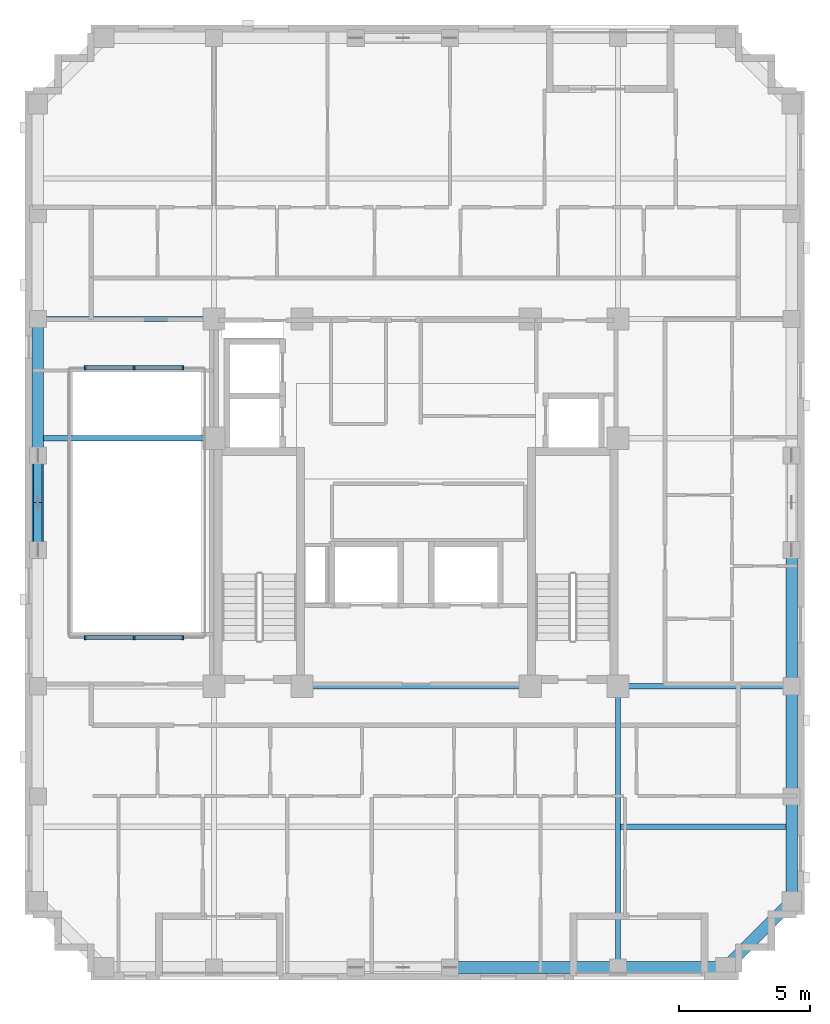
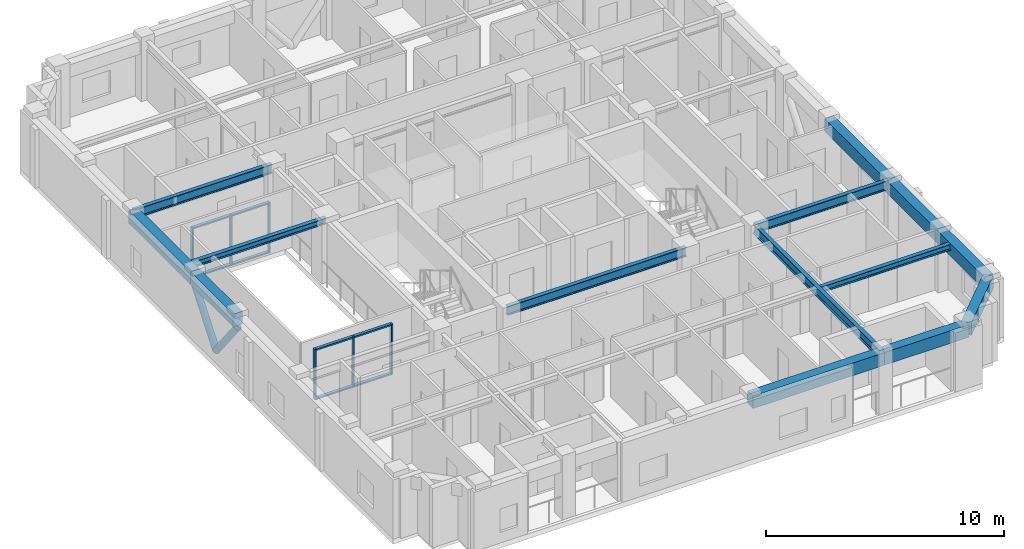
# One storey, part 2 of 12: 16 members, 14 beams, 2 elements without a shape of their own.
"""IFC4 building model written with IfcOpenShell, lengths in metres."""

import ifcopenshell
import ifcopenshell.guid

model = None  # the IFC model being written
_history = None  # IfcOwnerHistory: only IFC2X3 demands one
_inside = {}  # id of a spatial element -> (the spatial element, [elements in it])
_under = {}  # id of a project, library or spatial element -> (it, [spatial elements below it])
_declared = {}  # id of a project -> (the project, [libraries it declares])
_typed = {}  # id of a type object -> (the type object, [elements of that type])
_made_of = {}  # id of a material, layer set ... -> (it, [elements and type objects made of it])


def new_model(schema):
    """Start an empty IFC model of exactly this schema.

    Asked for "IFC4X3", IfcOpenShell would pick the latest addendum, in which some entities
    have other attributes; the version numbers below select the first issue.
    IFC2X3 requires an IfcOwnerHistory on every rooted entity: one is made here for all.
    """
    global model, _history
    if schema == "IFC4X3":
        model = ifcopenshell.file(schema_version=(4, 3, 0, 0))
    else:
        model = ifcopenshell.file(schema=schema)
    _inside.clear()
    _under.clear()
    _declared.clear()
    _typed.clear()
    _made_of.clear()
    _history = None
    if model.schema == "IFC2X3":
        org = make("IfcOrganization", Name="unknown")
        user = make(
            "IfcPersonAndOrganization",
            ThePerson=make("IfcPerson", FamilyName="unknown"),
            TheOrganization=org,
        )
        app = make(
            "IfcApplication",
            ApplicationDeveloper=org,
            Version="unknown",
            ApplicationFullName="unknown",
            ApplicationIdentifier="unknown",
        )
        _history = make(
            "IfcOwnerHistory",
            OwningUser=user,
            OwningApplication=app,
            ChangeAction="ADDED",
            CreationDate=0,
        )
    return model


def make(cls, **values):
    """One entity of the class cls with the attributes given. An attribute that is None is left unset."""
    return model.create_entity(
        cls, **{name: value for name, value in values.items() if value is not None}
    )


def rooted(cls, **values):
    """An entity with a GlobalId (a new one), such as an element, a storey or a relation."""
    return make(cls, GlobalId=ifcopenshell.guid.new(), OwnerHistory=_history, **values)


def si_unit(unit_type, name, prefix=None):
    """IfcSIUnit, for example si_unit("LENGTHUNIT", "METRE", prefix="MILLI")."""
    return make("IfcSIUnit", UnitType=unit_type, Prefix=prefix, Name=name)


def derived_unit(unit_type, elements):
    """IfcDerivedUnit: a product of units, each with its exponent."""
    return make(
        "IfcDerivedUnit",
        Elements=[
            make("IfcDerivedUnitElement", Unit=unit, Exponent=power)
            for unit, power in elements
        ],
        UnitType=unit_type,
    )


def assignment(units):
    """IfcUnitAssignment: the units of a project."""
    return None if units is None else make("IfcUnitAssignment", Units=units)


def point(xyz):
    """IfcCartesianPoint."""
    return None if xyz is None else make("IfcCartesianPoint", Coordinates=xyz)


def direction(xyz):
    """IfcDirection."""
    return None if xyz is None else make("IfcDirection", DirectionRatios=xyz)


def frame(location, z_axis=None, x_axis=None):
    """IfcAxis2Placement3D, a coordinate frame: its origin and axes. An axis left out is left unset."""
    return make(
        "IfcAxis2Placement3D",
        Location=point(location),
        Axis=direction(z_axis),
        RefDirection=direction(x_axis),
    )


def frame_2d(location, x_axis=None):
    """IfcAxis2Placement2D, a coordinate frame in the plane: its origin and x axis."""
    return make(
        "IfcAxis2Placement2D", Location=point(location), RefDirection=direction(x_axis)
    )


def origin():
    """The frame at (0, 0, 0) with its axes left unset."""
    return frame((0.0, 0.0, 0.0))


def origin_2d():
    """The frame at (0, 0) in the plane with its x axis left unset."""
    return frame_2d((0.0, 0.0))


def place(relative_to, where):
    """IfcLocalPlacement: puts the frame where relative to a parent placement (None: the world)."""
    return make(
        "IfcLocalPlacement", PlacementRelTo=relative_to, RelativePlacement=where
    )


def context(
    kind, dimensions, precision=None, world=None, true_north=None, identifier=None
):
    """IfcGeometricRepresentationContext, for example the 3D "Model" context."""
    return make(
        "IfcGeometricRepresentationContext",
        ContextIdentifier=identifier,
        ContextType=kind,
        CoordinateSpaceDimension=dimensions,
        Precision=precision,
        WorldCoordinateSystem=world,
        TrueNorth=true_north,
    )


def subcontext(parent, identifier, kind, view, scale=None):
    """IfcGeometricRepresentationSubContext, for example "Body" below "Model"."""
    return make(
        "IfcGeometricRepresentationSubContext",
        ContextIdentifier=identifier,
        ContextType=kind,
        ParentContext=parent,
        TargetScale=scale,
        TargetView=view,
    )


def project(units=None, contexts=None):
    """IfcProject with its units and contexts."""
    return rooted(
        "IfcProject",
        Name="project",
        RepresentationContexts=contexts,
        UnitsInContext=assignment(units),
    )


def spatial(cls, under=None, at=None, **own):
    """A site, building, storey or space (cls), placed at a placement, below another one or the project."""
    s = rooted(cls, ObjectPlacement=at, **own)
    if under is not None:
        _under.setdefault(under.id(), (under, []))[1].append(s)
    return s


def profile(cls, at=None, kind="AREA", **sizes):
    """A parametric profile (cls). Its sizes go by their IFC names, for example OverallWidth=200.0."""
    return make(cls, ProfileType=kind, Position=at, **sizes)


def rectangle(**sizes):
    """IfcRectangleProfileDef."""
    return profile("IfcRectangleProfileDef", **sizes)


def hollow_circle(**sizes):
    """IfcCircleHollowProfileDef."""
    return profile("IfcCircleHollowProfileDef", **sizes)


def i_section(**sizes):
    """IfcIShapeProfileDef."""
    return profile("IfcIShapeProfileDef", **sizes)


def extrude(swept, where, along, depth):
    """IfcExtrudedAreaSolid: the profile swept, set in the frame where, extruded along a direction by depth."""
    return make(
        "IfcExtrudedAreaSolid",
        SweptArea=swept,
        Position=where,
        ExtrudedDirection=direction(along),
        Depth=depth,
    )


def shape(context_of_items, identifier, shape_type, items):
    """IfcShapeRepresentation: the items that make up one representation, for example the "Body"."""
    return make(
        "IfcShapeRepresentation",
        ContextOfItems=context_of_items,
        RepresentationIdentifier=identifier,
        RepresentationType=shape_type,
        Items=items,
    )


def material(Name=None, Category=None):
    """IfcMaterial."""
    return make("IfcMaterial", Name=Name, Category=Category)


def material_profile(
    of_material, cross_section, Name=None, Category=None, Priority=None
):
    """IfcMaterialProfile: a cross section and its material."""
    return make(
        "IfcMaterialProfile",
        Name=Name,
        Material=of_material,
        Profile=cross_section,
        Priority=Priority,
        Category=Category,
    )


def profile_set(profiles, Name=None, composite=None):
    """IfcMaterialProfileSet."""
    return make(
        "IfcMaterialProfileSet",
        Name=Name,
        MaterialProfiles=profiles,
        CompositeProfile=composite,
    )


def made_of(thing, what):
    """Note that an element or type object is made of a material, layer set ...; save() writes the relation."""
    if what is not None:
        _made_of.setdefault(what.id(), (what, []))[1].append(thing)
    return thing


def type_object(cls, material=None, **own):
    """A type object (cls), such as IfcWallType, which elements share."""
    return made_of(rooted(cls, **own), material)


def element(
    cls,
    number,
    at=None,
    inside=None,
    cuts=None,
    type_object=None,
    material=None,
    context=None,
    identifier="Body",
    shape_type=None,
    held_by="IfcProductDefinitionShape",
    body=None,
    shapes=None,
    **own,
):
    """One element of the class cls, such as IfcWall. Its Tag is "e" and its number.

    at: its placement. inside: the storey or other place that contains it. cuts: it is an
    opening in that element (IfcRelVoidsElement). A single representation is given by context,
    identifier, shape_type and body (its items); several are given by shapes. held_by: the class
    of the entity that holds the representations. save() writes the other relations.
    """
    e = rooted(cls, Tag="e%d" % number, ObjectPlacement=at, **own)
    if body is not None:
        shapes = [shape(context, identifier, shape_type, body)]
    if shapes is not None:
        e.Representation = make(held_by, Representations=shapes)
    if inside is not None:
        _inside.setdefault(inside.id(), (inside, []))[1].append(e)
    if cuts is not None:
        rooted(
            "IfcRelVoidsElement", RelatingBuildingElement=cuts, RelatedOpeningElement=e
        )
    if type_object is not None:
        _typed.setdefault(type_object.id(), (type_object, []))[1].append(e)
    return made_of(e, material)


def aggregate(whole, parts):
    """IfcRelAggregates: a whole, such as a stair, and the parts it consists of."""
    return rooted("IfcRelAggregates", RelatingObject=whole, RelatedObjects=parts)


def save(model, path):
    """Write the relations noted so far, then the file.

    IfcRelAggregates (storeys below a building ...), IfcRelContainedInSpatialStructure (elements
    in a storey), IfcRelDefinesByType, IfcRelAssociatesMaterial and IfcRelDeclares: one each for
    every whole, place, type object, material and project.
    """
    for whole, parts in _under.values():
        aggregate(whole, parts)
    for where, things in _inside.values():
        rooted(
            "IfcRelContainedInSpatialStructure",
            RelatedElements=things,
            RelatingStructure=where,
        )
    for kind, things in _typed.values():
        rooted("IfcRelDefinesByType", RelatedObjects=things, RelatingType=kind)
    for what, things in _made_of.values():
        rooted("IfcRelAssociatesMaterial", RelatedObjects=things, RelatingMaterial=what)
    for by, libraries in _declared.values():
        rooted("IfcRelDeclares", RelatingContext=by, RelatedDefinitions=libraries)
    model.write(path)


model = new_model("IFC4")

# Units and contexts
model_context = context("Model", 3, precision=1e-05, world=origin(), true_north=direction((0.0, 1.0)))
body_context = subcontext(model_context, "Body", "Model", "MODEL_VIEW")
ifc_project = project(units=[si_unit("LENGTHUNIT", "METRE"), si_unit("AREAUNIT", "SQUARE_METRE"), si_unit("VOLUMEUNIT", "CUBIC_METRE"), si_unit("PLANEANGLEUNIT", "RADIAN"), si_unit("MASSUNIT", "GRAM", prefix="KILO"), derived_unit("THERMALTRANSMITTANCEUNIT", [(si_unit("MASSUNIT", "GRAM", prefix="KILO"), 1), (si_unit("TIMEUNIT", "SECOND"), -3), (si_unit("THERMODYNAMICTEMPERATUREUNIT", "KELVIN"), -1)])], contexts=[model_context])

# Site, building, storey
site_placement = place(None, origin())
site = spatial("IfcSite", under=ifc_project, at=site_placement, CompositionType="ELEMENT")
building_placement = place(site_placement, origin())
building = spatial("IfcBuilding", under=site, at=building_placement, Name="Korrvale Station Residences", CompositionType="ELEMENT")
storey_placement = place(building_placement, frame((0.0, 0.0, 184.300048828125)))
storey = spatial("IfcBuildingStorey", under=building, at=storey_placement, Name="L53", CompositionType="ELEMENT", Elevation=184.300048828125)

# Beams
ifc_material_1 = material(Name="Steel S355", Category="steel")
ifc_material_profile_1 = material_profile(ifc_material_1, i_section(OverallWidth=0.194091796875, OverallDepth=0.468994140625, WebThickness=0.0126953125, FlangeThickness=0.0205078125, FilletRadius=0.01611328125, at=origin_2d()), Name="W460x106")
ifc_profile_set_1 = profile_set([ifc_material_profile_1], Name="Steel S355")
beam_type_1 = type_object("IfcBeamType", Name="BM-BM-W460x106-S355", PredefinedType="BEAM", material=ifc_profile_set_1)
beam_1_placement = place(storey_placement, frame((33.199951171875, 4.280029296875, 2.805419921875), z_axis=(0.0, 1.0, 0.0), x_axis=(-1.0, 0.0, 0.0)))
element("IfcBeam", 1, at=beam_1_placement, inside=storey, type_object=beam_type_1, Name="L53 Bundled-Tube Web Girder 02", PredefinedType="BEAM", context=body_context, shape_type="SweptSolid", body=[
    extrude(i_section(OverallWidth=0.194091796875, OverallDepth=0.468994140625, WebThickness=0.0126953125, FlangeThickness=0.0205078125, FilletRadius=0.01611328125, at=origin_2d()), origin(), (0.0, 0.0, 1.0), 10.719970703125),
])
beam_2_placement = place(storey_placement, frame((33.199951171875, 15.0, 2.805419921875), z_axis=(1.0, 0.0, 0.0), x_axis=(0.0, 1.0, 0.0)))
element("IfcBeam", 2, at=beam_2_placement, inside=storey, type_object=beam_type_1, Name="L53 Bundled-Tube Web Girder 06", PredefinedType="BEAM", context=body_context, shape_type="SweptSolid", body=[
    extrude(i_section(OverallWidth=0.194091796875, OverallDepth=0.468994140625, WebThickness=0.0126953125, FlangeThickness=0.0205078125, FilletRadius=0.01611328125, at=origin_2d()), origin(), (0.0, 0.0, 1.0), 6.6201171875),
])
beam_3_placement = place(storey_placement, frame((11.080078125, 29.0, 2.805419921875), z_axis=(1.0, 0.0, 0.0), x_axis=(0.0, 1.0, 0.0)))
element("IfcBeam", 3, at=beam_3_placement, inside=storey, type_object=beam_type_1, Name="L53 Bundled-Tube Web Girder 07", PredefinedType="BEAM", context=body_context, shape_type="SweptSolid", body=[
    extrude(i_section(OverallWidth=0.194091796875, OverallDepth=0.468994140625, WebThickness=0.0126953125, FlangeThickness=0.0205078125, FilletRadius=0.01611328125, at=origin_2d()), origin(), (0.0, 0.0, 1.0), 6.719970703125),
])
beam_4_placement = place(storey_placement, frame((21.14990234375, 15.0, 2.805419921875), z_axis=(1.0, 0.0, 0.0), x_axis=(0.0, 1.0, 0.0)))
element("IfcBeam", 4, at=beam_4_placement, inside=storey, type_object=beam_type_1, Name="L53 Bundled-Tube Web Girder 09", PredefinedType="BEAM", context=body_context, shape_type="SweptSolid", body=[
    extrude(i_section(OverallWidth=0.194091796875, OverallDepth=0.468994140625, WebThickness=0.0126953125, FlangeThickness=0.0205078125, FilletRadius=0.01611328125, at=origin_2d()), origin(), (0.0, 0.0, 1.0), 8.7001953125),
])
ifc_material_profile_2 = material_profile(ifc_material_1, i_section(OverallWidth=0.202880859375, OverallDepth=0.302978515625, WebThickness=0.007568359375, FlangeThickness=0.01318359375, FilletRadius=0.014892578125, at=origin_2d()), Name="W310x60")
ifc_profile_set_2 = profile_set([ifc_material_profile_2], Name="Steel S355")
beam_type_2 = type_object("IfcBeamType", Name="BM-JST-W310x60-S355", PredefinedType="JOIST", material=ifc_profile_set_2)
beam_5_placement = place(storey_placement, frame((33.297119140625, 9.639892578125, 2.888427734375), z_axis=(1.0, 0.0, 0.0), x_axis=(0.0, 1.0, 0.0)))
element("IfcBeam", 5, at=beam_5_placement, inside=storey, type_object=beam_type_2, Name="L53 Floor Framing Joist 03", PredefinedType="JOIST", context=body_context, shape_type="SweptSolid", body=[
    extrude(i_section(OverallWidth=0.202880859375, OverallDepth=0.302978515625, WebThickness=0.007568359375, FlangeThickness=0.01318359375, FilletRadius=0.014892578125, at=origin_2d()), origin(), (0.0, 0.0, 1.0), 6.2978515625),
])
beam_6_placement = place(storey_placement, frame((11.304931640625, 24.449951171875, 2.888427734375), z_axis=(1.0, 0.0, 0.0), x_axis=(0.0, 1.0, 0.0)))
element("IfcBeam", 6, at=beam_6_placement, inside=storey, type_object=beam_type_2, Name="L53 Floor Framing Joist 08", PredefinedType="JOIST", context=body_context, shape_type="SweptSolid", body=[
    extrude(i_section(OverallWidth=0.202880859375, OverallDepth=0.302978515625, WebThickness=0.007568359375, FlangeThickness=0.01318359375, FilletRadius=0.014892578125, at=origin_2d()), origin(), (0.0, 0.0, 1.0), 6.4951171875),
])
ifc_material_2 = material(Name="Concrete C50/60", Category="concrete")
ifc_material_profile_3 = material_profile(ifc_material_2, rectangle(XDim=0.449951171875, YDim=0.64990234375, at=origin_2d()), Name="RCB450x650")
ifc_profile_set_3 = profile_set([ifc_material_profile_3], Name="Concrete C50/60")
beam_type_3 = type_object("IfcBeamType", Name="BM-SPB-RCB450x650-C5060", PredefinedType="SPANDREL", material=ifc_profile_set_3)
beam_7_placement = place(storey_placement, frame((26.800048828125, 4.280029296875, 2.71484375), z_axis=(1.0, 0.0, 0.0), x_axis=(0.0, 1.0, 0.0)))
element("IfcBeam", 7, at=beam_7_placement, inside=storey, type_object=beam_type_3, Name="L53 South Tube Spandrel 04", PredefinedType="SPANDREL", context=body_context, shape_type="SweptSolid", body=[
    extrude(rectangle(XDim=0.449951171875, YDim=0.64990234375, at=origin_2d()), origin(), (0.0, 0.0, 1.0), 6.39990234375),
])
beam_8_placement = place(storey_placement, frame((33.199951171875, 4.280029296875, 2.71484375), z_axis=(1.0, 0.0, 0.0), x_axis=(0.0, 1.0, 0.0)))
element("IfcBeam", 8, at=beam_8_placement, inside=storey, type_object=beam_type_3, Name="L53 South Tube Spandrel 05", PredefinedType="SPANDREL", context=body_context, shape_type="SweptSolid", body=[
    extrude(rectangle(XDim=0.449951171875, YDim=0.64990234375, at=origin_2d()), origin(), (0.0, 0.0, 1.0), 4.10009765625),
])
beam_9_placement = place(storey_placement, frame((11.080078125, 20.199951171875, 2.71484375), z_axis=(0.0, 1.0, 0.0), x_axis=(-1.0, 0.0, 0.0)))
element("IfcBeam", 9, at=beam_9_placement, inside=storey, type_object=beam_type_3, Name="L53 West Tube Spandrel 14", PredefinedType="SPANDREL", context=body_context, shape_type="SweptSolid", body=[
    extrude(rectangle(XDim=0.449951171875, YDim=0.64990234375, at=origin_2d()), origin(), (0.0, 0.0, 1.0), 3.60009765625),
])
beam_10_placement = place(storey_placement, frame((11.080078125, 23.800048828125, 2.71484375), z_axis=(0.0, 1.0, 0.0), x_axis=(-1.0, 0.0, 0.0)))
element("IfcBeam", 10, at=beam_10_placement, inside=storey, type_object=beam_type_3, Name="L53 West Tube Spandrel 15", PredefinedType="SPANDREL", context=body_context, shape_type="SweptSolid", body=[
    extrude(rectangle(XDim=0.449951171875, YDim=0.64990234375, at=origin_2d()), origin(), (0.0, 0.0, 1.0), 5.199951171875),
])
beam_11_placement = place(storey_placement, frame((39.820068359375, 6.800048828125, 2.71484375), z_axis=(0.0, 1.0, 0.0), x_axis=(-1.0, 0.0, 0.0)))
element("IfcBeam", 11, at=beam_11_placement, inside=storey, type_object=beam_type_3, Name="L53 East Tube Spandrel 18", PredefinedType="SPANDREL", context=body_context, shape_type="SweptSolid", body=[
    extrude(rectangle(XDim=0.449951171875, YDim=0.64990234375, at=origin_2d()), origin(), (0.0, 0.0, 1.0), 4.0),
])
beam_12_placement = place(storey_placement, frame((39.820068359375, 10.800048828125, 2.71484375), z_axis=(0.0, 1.0, 0.0), x_axis=(-1.0, 0.0, 0.0)))
element("IfcBeam", 12, at=beam_12_placement, inside=storey, type_object=beam_type_3, Name="L53 East Tube Spandrel 19", PredefinedType="SPANDREL", context=body_context, shape_type="SweptSolid", body=[
    extrude(rectangle(XDim=0.449951171875, YDim=0.64990234375, at=origin_2d()), origin(), (0.0, 0.0, 1.0), 4.199951171875),
])
beam_13_placement = place(storey_placement, frame((39.820068359375, 15.0, 2.71484375), z_axis=(0.0, 1.0, 0.0), x_axis=(-1.0, 0.0, 0.0)))
element("IfcBeam", 13, at=beam_13_placement, inside=storey, type_object=beam_type_3, Name="L53 East Tube Spandrel 20", PredefinedType="SPANDREL", context=body_context, shape_type="SweptSolid", body=[
    extrude(rectangle(XDim=0.449951171875, YDim=0.64990234375, at=origin_2d()), origin(), (0.0, 0.0, 1.0), 5.199951171875),
])
beam_14_placement = place(storey_placement, frame((37.300048828125, 4.280029296875, 2.71484375), z_axis=(0.707106781187, 0.707106781187, 0.0), x_axis=(-0.707106781187, 0.707106781187, 0.0)))
element("IfcBeam", 14, at=beam_14_placement, inside=storey, type_object=beam_type_3, Name="L53 Serrated Corner Spandrel 26", PredefinedType="SPANDREL", context=body_context, shape_type="SweptSolid", body=[
    extrude(rectangle(XDim=0.449951171875, YDim=0.64990234375, at=origin_2d()), origin(), (0.0, 0.0, 1.0), 3.56396484375),
])

# Curtain wall, members
ifc_material_3 = material(Name="Unitised thermally broken aluminium curtain wall with triple low-e IGU", Category="aluminium")
curtain_wall_type = type_object("IfcCurtainWallType", Name="CW-ATR-UPP", PredefinedType="NOTDEFINED", material=ifc_material_3)
curtain_wall_1_placement = place(storey_placement, origin())
curtain_wall_1 = element("IfcCurtainWall", 15, at=curtain_wall_1_placement, inside=storey, type_object=curtain_wall_type, Name="L53 Curtain Wall CW5-RUN-5", PredefinedType="NOTDEFINED")
ifc_material_4 = material(Name="Extruded thermally broken aluminium mullion", Category="aluminium")
member_type_1 = type_object("IfcMemberType", Name="CW-ATR-UPP-M", PredefinedType="MULLION", material=ifc_material_4)
member_1_placement = place(storey_placement, frame((12.887451171875, 16.85009765625, 0.0), z_axis=(0.0, 0.0, 1.0), x_axis=(1.0, 0.0, 0.0)))
member_1 = element("IfcMember", 16, at=member_1_placement, type_object=member_type_1, Name="CW-ATR-UPP Mullion 1", PredefinedType="MULLION", context=body_context, shape_type="SweptSolid", body=[
    extrude(rectangle(XDim=0.074951171875, YDim=0.155029296875, at=origin_2d()), origin(), (0.0, 0.0, 1.0), 2.60009765625),
])
member_2_placement = place(storey_placement, frame((14.75, 16.85009765625, 0.0), z_axis=(0.0, 0.0, 1.0), x_axis=(1.0, 0.0, 0.0)))
member_2 = element("IfcMember", 17, at=member_2_placement, type_object=member_type_1, Name="CW-ATR-UPP Mullion 2", PredefinedType="MULLION", context=body_context, shape_type="SweptSolid", body=[
    extrude(rectangle(XDim=0.074951171875, YDim=0.155029296875, at=origin_2d()), origin(), (0.0, 0.0, 1.0), 2.60009765625),
])
member_3_placement = place(storey_placement, frame((16.612548828125, 16.85009765625, 0.0), z_axis=(0.0, 0.0, 1.0), x_axis=(1.0, 0.0, 0.0)))
member_3 = element("IfcMember", 18, at=member_3_placement, type_object=member_type_1, Name="CW-ATR-UPP Mullion 3", PredefinedType="MULLION", context=body_context, shape_type="SweptSolid", body=[
    extrude(rectangle(XDim=0.074951171875, YDim=0.155029296875, at=origin_2d()), origin(), (0.0, 0.0, 1.0), 2.60009765625),
])

curtain_wall_2_placement = place(storey_placement, origin())
curtain_wall_2 = element("IfcCurtainWall", 19, at=curtain_wall_2_placement, inside=storey, type_object=curtain_wall_type, Name="L53 Curtain Wall CW5-RUN-6", PredefinedType="NOTDEFINED")
member_4_placement = place(storey_placement, frame((12.887451171875, 27.14990234375, 0.0), z_axis=(0.0, 0.0, 1.0), x_axis=(1.0, 0.0, 0.0)))
member_4 = element("IfcMember", 20, at=member_4_placement, type_object=member_type_1, Name="CW-ATR-UPP Mullion 1", PredefinedType="MULLION", context=body_context, shape_type="SweptSolid", body=[
    extrude(rectangle(XDim=0.074951171875, YDim=0.155029296875, at=origin_2d()), origin(), (0.0, 0.0, 1.0), 2.60009765625),
])
member_5_placement = place(storey_placement, frame((14.75, 27.14990234375, 0.0), z_axis=(0.0, 0.0, 1.0), x_axis=(1.0, 0.0, 0.0)))
member_5 = element("IfcMember", 21, at=member_5_placement, type_object=member_type_1, Name="CW-ATR-UPP Mullion 2", PredefinedType="MULLION", context=body_context, shape_type="SweptSolid", body=[
    extrude(rectangle(XDim=0.074951171875, YDim=0.155029296875, at=origin_2d()), origin(), (0.0, 0.0, 1.0), 2.60009765625),
])
member_6_placement = place(storey_placement, frame((16.612548828125, 27.14990234375, 0.0), z_axis=(0.0, 0.0, 1.0), x_axis=(1.0, 0.0, 0.0)))
member_6 = element("IfcMember", 22, at=member_6_placement, type_object=member_type_1, Name="CW-ATR-UPP Mullion 3", PredefinedType="MULLION", context=body_context, shape_type="SweptSolid", body=[
    extrude(rectangle(XDim=0.074951171875, YDim=0.155029296875, at=origin_2d()), origin(), (0.0, 0.0, 1.0), 2.60009765625),
])

# Member
ifc_material_5 = material(Name="Extruded thermally broken aluminium transom", Category="aluminium")
member_type_2 = type_object("IfcMemberType", Name="CW-ATR-UPP-T", PredefinedType="USERDEFINED", material=ifc_material_5)
member_7_placement = place(storey_placement, frame((13.800048828125, 16.85009765625, 0.0), z_axis=(0.0, 0.0, 1.0), x_axis=(1.0, 0.0, 0.0)))
member_7 = element("IfcMember", 23, at=member_7_placement, type_object=member_type_2, Name="CW-ATR-UPP Transom 1-1", ObjectType="TRANSOM", PredefinedType="USERDEFINED", context=body_context, shape_type="SweptSolid", body=[
    extrude(rectangle(XDim=1.824951171875, YDim=0.155029296875, at=origin_2d()), origin(), (0.0, 0.0, 1.0), 0.074951171875),
])

member_8_placement = place(storey_placement, frame((13.800048828125, 16.85009765625, 2.52490234375), z_axis=(0.0, 0.0, 1.0), x_axis=(1.0, 0.0, 0.0)))
member_8 = element("IfcMember", 24, at=member_8_placement, type_object=member_type_2, Name="CW-ATR-UPP Transom 1-2", ObjectType="TRANSOM", PredefinedType="USERDEFINED", context=body_context, shape_type="SweptSolid", body=[
    extrude(rectangle(XDim=1.824951171875, YDim=0.155029296875, at=origin_2d()), origin(), (0.0, 0.0, 1.0), 0.074951171875),
])

member_9_placement = place(storey_placement, frame((15.699951171875, 16.85009765625, 0.0), z_axis=(0.0, 0.0, 1.0), x_axis=(1.0, 0.0, 0.0)))
member_9 = element("IfcMember", 25, at=member_9_placement, type_object=member_type_2, Name="CW-ATR-UPP Transom 2-1", ObjectType="TRANSOM", PredefinedType="USERDEFINED", context=body_context, shape_type="SweptSolid", body=[
    extrude(rectangle(XDim=1.824951171875, YDim=0.155029296875, at=origin_2d()), origin(), (0.0, 0.0, 1.0), 0.074951171875),
])

member_10_placement = place(storey_placement, frame((15.699951171875, 16.85009765625, 2.52490234375), z_axis=(0.0, 0.0, 1.0), x_axis=(1.0, 0.0, 0.0)))
member_10 = element("IfcMember", 26, at=member_10_placement, type_object=member_type_2, Name="CW-ATR-UPP Transom 2-2", ObjectType="TRANSOM", PredefinedType="USERDEFINED", context=body_context, shape_type="SweptSolid", body=[
    extrude(rectangle(XDim=1.824951171875, YDim=0.155029296875, at=origin_2d()), origin(), (0.0, 0.0, 1.0), 0.074951171875),
])

aggregate(curtain_wall_1, [member_1, member_2, member_3, member_7, member_8, member_9, member_10])

member_11_placement = place(storey_placement, frame((13.800048828125, 27.14990234375, 0.0), z_axis=(0.0, 0.0, 1.0), x_axis=(1.0, 0.0, 0.0)))
member_11 = element("IfcMember", 27, at=member_11_placement, type_object=member_type_2, Name="CW-ATR-UPP Transom 1-1", ObjectType="TRANSOM", PredefinedType="USERDEFINED", context=body_context, shape_type="SweptSolid", body=[
    extrude(rectangle(XDim=1.824951171875, YDim=0.155029296875, at=origin_2d()), origin(), (0.0, 0.0, 1.0), 0.074951171875),
])

member_12_placement = place(storey_placement, frame((13.800048828125, 27.14990234375, 2.52490234375), z_axis=(0.0, 0.0, 1.0), x_axis=(1.0, 0.0, 0.0)))
member_12 = element("IfcMember", 28, at=member_12_placement, type_object=member_type_2, Name="CW-ATR-UPP Transom 1-2", ObjectType="TRANSOM", PredefinedType="USERDEFINED", context=body_context, shape_type="SweptSolid", body=[
    extrude(rectangle(XDim=1.824951171875, YDim=0.155029296875, at=origin_2d()), origin(), (0.0, 0.0, 1.0), 0.074951171875),
])

member_13_placement = place(storey_placement, frame((15.699951171875, 27.14990234375, 0.0), z_axis=(0.0, 0.0, 1.0), x_axis=(1.0, 0.0, 0.0)))
member_13 = element("IfcMember", 29, at=member_13_placement, type_object=member_type_2, Name="CW-ATR-UPP Transom 2-1", ObjectType="TRANSOM", PredefinedType="USERDEFINED", context=body_context, shape_type="SweptSolid", body=[
    extrude(rectangle(XDim=1.824951171875, YDim=0.155029296875, at=origin_2d()), origin(), (0.0, 0.0, 1.0), 0.074951171875),
])

member_14_placement = place(storey_placement, frame((15.699951171875, 27.14990234375, 2.52490234375), z_axis=(0.0, 0.0, 1.0), x_axis=(1.0, 0.0, 0.0)))
member_14 = element("IfcMember", 30, at=member_14_placement, type_object=member_type_2, Name="CW-ATR-UPP Transom 2-2", ObjectType="TRANSOM", PredefinedType="USERDEFINED", context=body_context, shape_type="SweptSolid", body=[
    extrude(rectangle(XDim=1.824951171875, YDim=0.155029296875, at=origin_2d()), origin(), (0.0, 0.0, 1.0), 0.074951171875),
])

aggregate(curtain_wall_2, [member_4, member_5, member_6, member_11, member_12, member_13, member_14])

# Members
ifc_material_profile_4 = material_profile(ifc_material_1, hollow_circle(Radius=0.161865234375, WallThickness=0.015869140625, at=origin_2d()), Name="HSS324x16")
ifc_profile_set_4 = profile_set([ifc_material_profile_4], Name="Steel S355")
member_type_3 = type_object("IfcMemberType", Name="MBR-BR-HSS324x16", PredefinedType="BRACE", material=ifc_profile_set_4)
for number, where, z_axis, x_axis, name in (
    (31, (11.080078125, 22.0, 0.02001953125), (0.0, -0.617977009695, 0.786196168579), (1.0, 0.0, 0.0), "L53 W Perimeter Tube Wind Brace 1"),
    (32, (11.080078125, 22.0, 0.02001953125), (0.0, 0.617977009695, 0.786196168579), (-1.0, 0.0, 0.0), "L53 W Perimeter Tube Wind Brace 2"),
):
    element("IfcMember", number, at=place(storey_placement, frame(where, z_axis=z_axis, x_axis=x_axis)), inside=storey, type_object=member_type_3, Name=name, PredefinedType="BRACE", context=body_context, shape_type="SweptSolid", body=[
        extrude(hollow_circle(Radius=0.161865234375, WallThickness=0.015869140625, at=origin_2d()), origin(), (0.0, 0.0, 1.0), 2.912841796875),
    ])

save(model, "model.ifc")
